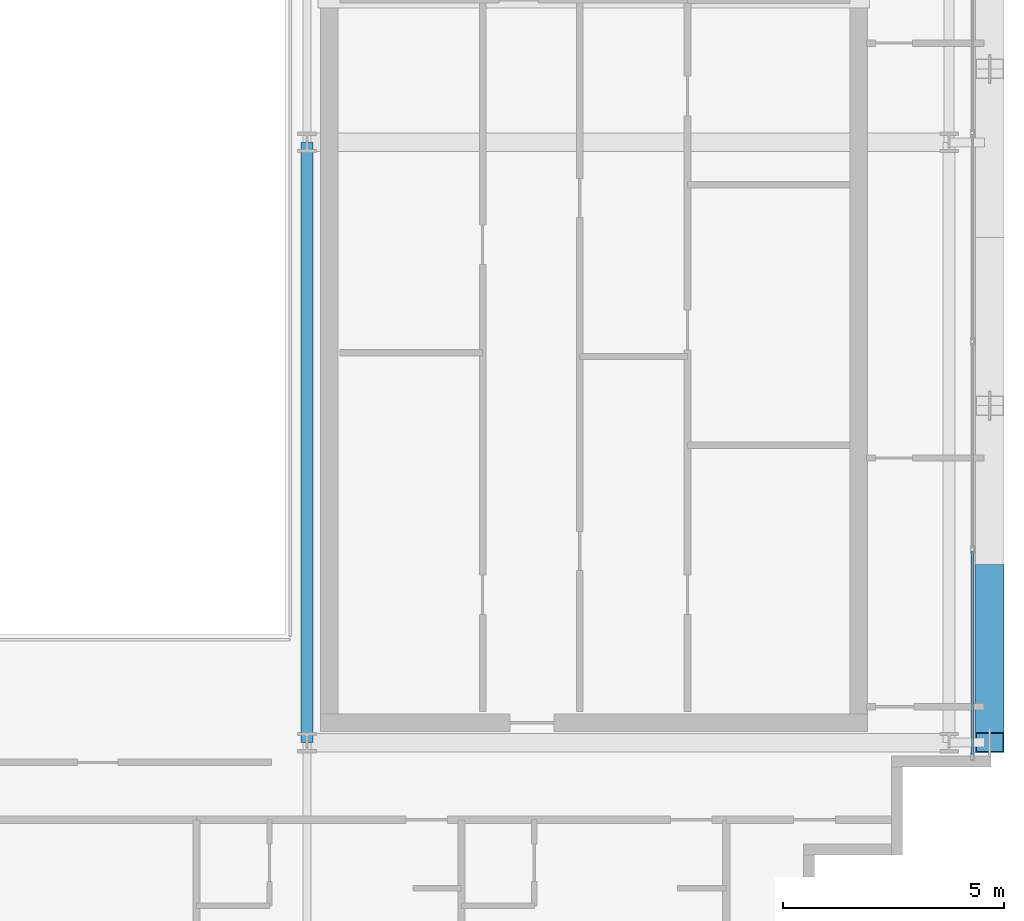
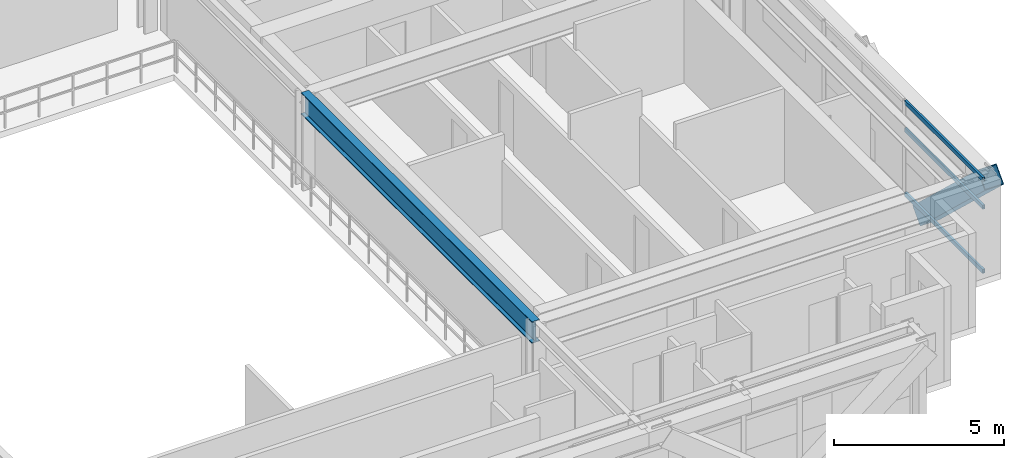
# One storey, part 9 of 28: 4 members, 1 beam, 1 element without a shape of its own.
"""IFC4 building model written with IfcOpenShell, lengths in metres."""

from ifc_helpers import new_model, si_unit, direction, frame, origin, origin_2d, place, context, subcontext, project, spatial, hollow_rectangle, i_section, extrude, source, transform, mapped, material, layer, layer_set, material_profile, profile_set, type_object, element, aggregate, save


model = new_model("IFC4")

# Units and contexts
model_context = context("Model", 3, precision=1e-05, world=origin(), true_north=direction((0.0, 1.0)))
body_context = subcontext(model_context, "Body", "Model", "MODEL_VIEW")
ifc_project = project(units=[si_unit("LENGTHUNIT", "METRE"), si_unit("AREAUNIT", "SQUARE_METRE"), si_unit("VOLUMEUNIT", "CUBIC_METRE"), si_unit("PLANEANGLEUNIT", "RADIAN"), si_unit("MASSUNIT", "GRAM", prefix="KILO")], contexts=[model_context])

# Site, building, storey
site_placement = place(None, origin())
site = spatial("IfcSite", under=ifc_project, at=site_placement, CompositionType="ELEMENT")
building_placement = place(site_placement, origin())
building = spatial("IfcBuilding", under=site, at=building_placement, Name="Ocotamira Hotel", CompositionType="ELEMENT")
storey_placement = place(building_placement, frame((0.0, 0.0, 240.0)))
storey = spatial("IfcBuildingStorey", under=building, at=storey_placement, Name="L60", CompositionType="ELEMENT", Elevation=240.0)

# Beam
ifc_material_1 = material(Name="Steel ASTM A992 Grade 50", Category="steel")
ifc_material_profile_1 = material_profile(ifc_material_1, i_section(OverallWidth=0.26611328125, OverallDepth=0.779052734375, WebThickness=0.0166015625, FlangeThickness=0.030029296875, FilletRadius=0.01806640625, at=origin_2d()), Name="W30X148")
ifc_profile_set_1 = profile_set([ifc_material_profile_1], Name="Steel ASTM A992 Grade 50")
beam_type = type_object("IfcBeamType", Name="BM-GIRD-W30X148", PredefinedType="BEAM", material=ifc_profile_set_1)
shared_shape_1 = source(origin(), body_context, "Body", "SweptSolid", [
    extrude(i_section(OverallWidth=0.26611328125, OverallDepth=0.779052734375, WebThickness=0.0166015625, FlangeThickness=0.030029296875, FilletRadius=0.01806640625, at=origin_2d()), origin(), (0.0, 0.0, 1.0), 13.599853515625),
])
beam_placement = place(storey_placement, frame((40.5, 14.550048828125, 2.990478515625), z_axis=(0.0, 1.0, 0.0), x_axis=(-1.0, 0.0, 0.0)))
element("IfcBeam", 1, at=beam_placement, inside=storey, type_object=beam_type, Name="L60 Beam X40.5 Y14.55-28.15", PredefinedType="BEAM", context=body_context, shape_type="MappedRepresentation", body=[
    mapped(shared_shape_1, transform((0.0, 0.0, 0.0), scale=1.0)),
])

# Member
ifc_material_2 = material(Name="Pale-metal coated steel ASTM A913 Grade 65", Category="steel")
ifc_material_profile_2 = material_profile(ifc_material_2, hollow_rectangle(XDim=0.64990234375, YDim=0.64990234375, WallThickness=0.02197265625, at=origin_2d()), Name="BOX650X650X22")
ifc_profile_set_2 = profile_set([ifc_material_profile_2], Name="Pale-metal coated steel ASTM A913 Grade 65")
member_type_1 = type_object("IfcMemberType", Name="MEM-EXO-BOX650", PredefinedType="BRACE", material=ifc_profile_set_2)
shared_shape_2 = source(origin(), body_context, "Body", "SweptSolid", [
    extrude(hollow_rectangle(XDim=0.64990234375, YDim=0.64990234375, WallThickness=0.02197265625, at=origin_2d()), origin(), (0.0, 0.0, 1.0), 5.24658203125),
])
member_1_placement = place(storey_placement, frame((55.969970703125, 18.36669921875, -0.469970703125), z_axis=(0.0, -0.72746596067, 0.686143772154), x_axis=(1.0, 0.0, 0.0)))
element("IfcMember", 2, at=member_1_placement, inside=storey, type_object=member_type_1, Name="L60 Exoskeleton Diagrid E0.1", PredefinedType="BRACE", context=body_context, shape_type="MappedRepresentation", body=[
    mapped(shared_shape_2, transform((0.0, 0.0, 0.0), scale=1.0)),
])

# Curtain wall, members
ifc_material_3 = material(Name="Anodised pale-metal aluminium and solar glass", Category="aluminium")
ifc_layer = layer(ifc_material_3, 0.239990234375)
ifc_layer_set = layer_set([ifc_layer], Name="Anodised pale-metal aluminium and solar glass")
curtain_wall_type = type_object("IfcCurtainWallType", Name="CW-SYS5-SKY", PredefinedType="NOTDEFINED", material=ifc_layer_set)
curtain_wall_placement = place(storey_placement, origin())
curtain_wall = element("IfcCurtainWall", 3, at=curtain_wall_placement, inside=storey, type_object=curtain_wall_type, Name="L60 Curtain Wall CW-5 CW-L60-E", PredefinedType="NOTDEFINED")
ifc_material_4 = material(Name="Anodised pale-metal aluminium 6063-T6", Category="aluminium")
ifc_material_profile_3 = material_profile(ifc_material_4, hollow_rectangle(XDim=0.074951171875, YDim=0.14990234375, WallThickness=0.006103515625, at=origin_2d()), Name="HSS150X75X6")
ifc_profile_set_3 = profile_set([ifc_material_profile_3], Name="Anodised pale-metal aluminium 6063-T6")
member_type_2 = type_object("IfcMemberType", Name="CWT-150X75", PredefinedType="USERDEFINED", material=ifc_profile_set_3)
shared_shape_3 = source(origin(), body_context, "Body", "SweptSolid", [
    extrude(hollow_rectangle(XDim=0.074951171875, YDim=0.14990234375, WallThickness=0.006103515625, at=origin_2d()), origin(), (0.0, 0.0, 1.0), 4.599853515625),
])
member_2_placement = place(storey_placement, frame((55.580078125, 14.280029296875, 0.03759765625), z_axis=(0.0, 1.0, 0.0), x_axis=(-1.0, 0.0, 0.0)))
member_2 = element("IfcMember", 4, at=member_2_placement, type_object=member_type_2, Name="CW-5 transom 1.1", ObjectType="TRANSOM", PredefinedType="USERDEFINED", context=body_context, shape_type="MappedRepresentation", body=[
    mapped(shared_shape_3, transform((0.0, 0.0, 0.0), scale=1.0)),
])
member_3_placement = place(storey_placement, frame((55.580078125, 14.280029296875, 2.35009765625), z_axis=(0.0, 1.0, 0.0), x_axis=(-1.0, 0.0, 0.0)))
member_3 = element("IfcMember", 5, at=member_3_placement, type_object=member_type_2, Name="CW-5 transom 1.2", ObjectType="TRANSOM", PredefinedType="USERDEFINED", context=body_context, shape_type="MappedRepresentation", body=[
    mapped(shared_shape_3, transform((0.0, 0.0, 0.0), scale=1.0)),
])
member_4_placement = place(storey_placement, frame((55.580078125, 14.280029296875, 3.342529296875), z_axis=(0.0, 1.0, 0.0), x_axis=(-1.0, 0.0, 0.0)))
member_4 = element("IfcMember", 6, at=member_4_placement, type_object=member_type_2, Name="CW-5 transom 1.3", ObjectType="TRANSOM", PredefinedType="USERDEFINED", context=body_context, shape_type="MappedRepresentation", body=[
    mapped(shared_shape_3, transform((0.0, 0.0, 0.0), scale=1.0)),
])
aggregate(curtain_wall, [member_2, member_3, member_4])

save(model, "model.ifc")
